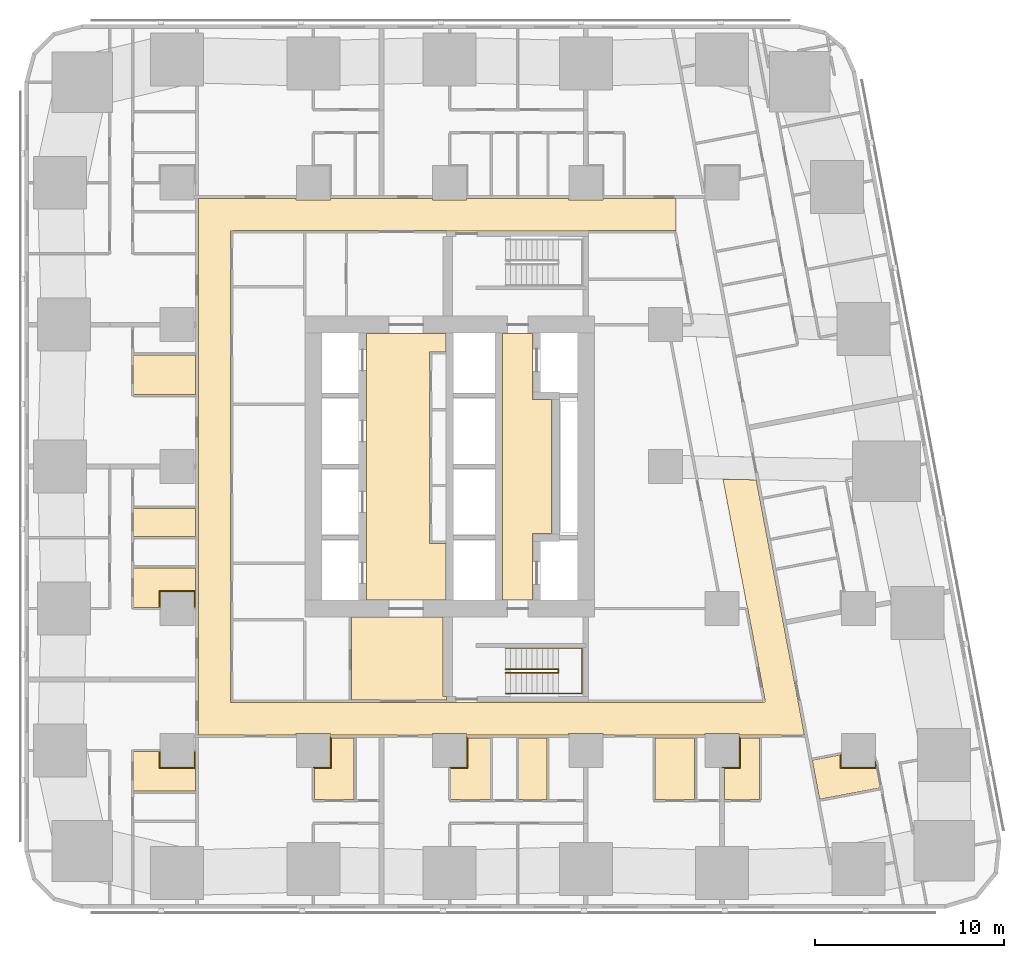
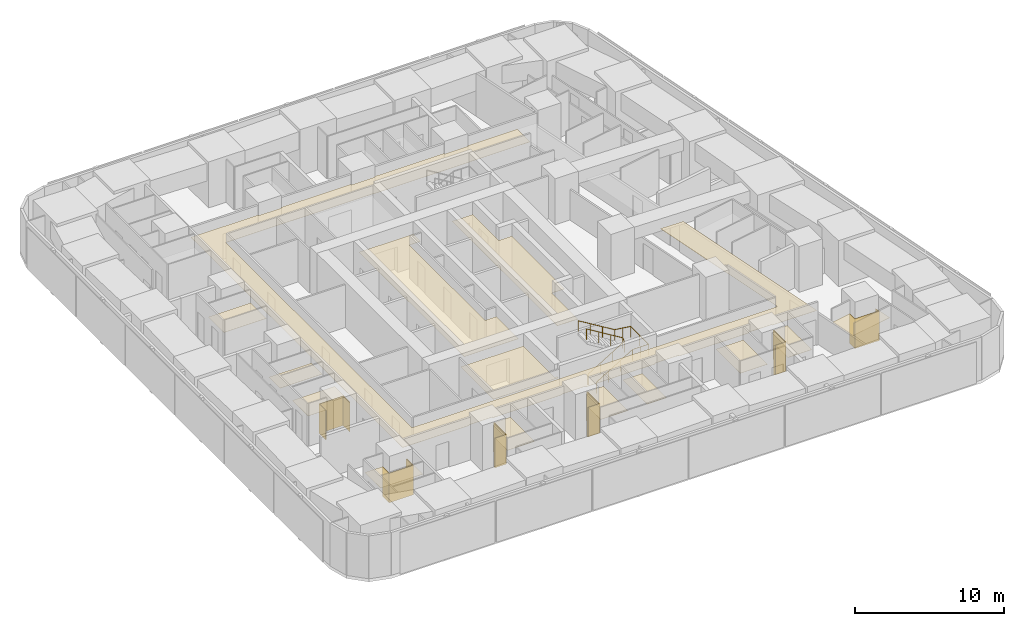
# One storey, part 14 of 16: 20 coverings, 2 railings.
"""IFC4 building model written with IfcOpenShell, lengths in metres."""

from ifc_helpers import new_model, si_unit, direction, frame, origin, origin_2d, place, context, subcontext, project, spatial, polyline, circle, outline, extrude, material, layer, layer_set, type_object, element, save


model = new_model("IFC4")

# Units and contexts
model_context = context("Model", 3, precision=1e-05, world=origin(), true_north=direction((0.0, 1.0)))
body_context = subcontext(model_context, "Body", "Model", "MODEL_VIEW")
ifc_project = project(units=[si_unit("LENGTHUNIT", "METRE"), si_unit("AREAUNIT", "SQUARE_METRE"), si_unit("VOLUMEUNIT", "CUBIC_METRE"), si_unit("PLANEANGLEUNIT", "RADIAN"), si_unit("MASSUNIT", "GRAM", prefix="KILO")], contexts=[model_context])

# Site, building, storey
site_placement = place(None, origin())
site = spatial("IfcSite", under=ifc_project, at=site_placement, CompositionType="ELEMENT")
building_placement = place(site_placement, origin())
building = spatial("IfcBuilding", under=site, at=building_placement, Name="Sheger Commons Tower", CompositionType="ELEMENT")
storey_placement = place(building_placement, frame((0.0, 0.0, 53.75)))
storey = spatial("IfcBuildingStorey", under=building, at=storey_placement, Name="L13", CompositionType="ELEMENT", Elevation=53.75)

# Railings
ifc_material_1 = material(Name="Steel handrail, black powder-coated", Category="steel")
railing_type = type_object("IfcRailingType", Name="HANDRAIL 900", PredefinedType="HANDRAIL", material=ifc_material_1)
railing_1_placement = place(storey_placement, frame((24.550048828125, 11.60009765625, 0.17041015625)))
element("IfcRailing", 1, at=railing_1_placement, inside=storey, type_object=railing_type, Name="Stair S1 handrail L13", PredefinedType="HANDRAIL", context=body_context, shape_type="SweptSolid", body=[
    extrude(circle(Radius=0.02392578125, at=origin_2d()), frame((0.0, 0.0, 0.8759765625), z_axis=(0.854169791009, 0.0, 0.51999420009), x_axis=(0.0, 1.0, 0.0)), (0.0, 0.0, 1.0), 3.278076171875),
    extrude(circle(Radius=0.02392578125, at=origin_2d()), frame((2.800048828125, 0.0, 2.58056640625), z_axis=(0.0, 0.761090297175, 0.648645943136), x_axis=(-1.0, 0.0, 0.0)), (0.0, 0.0, 1.0), 0.2626953125),
    extrude(circle(Radius=0.02392578125, at=origin_2d()), frame((2.800048828125, 0.199951171875, 2.7509765625), z_axis=(-0.854169791009, 0.0, 0.51999420009), x_axis=(0.0, -1.0, 0.0)), (0.0, 0.0, 1.0), 3.278076171875),
    extrude(circle(Radius=0.02099609375, at=origin_2d()), origin(), (0.0, 0.0, 1.0), 0.851806640625),
    extrude(circle(Radius=0.02099609375, at=origin_2d()), frame((0.933349609375, 0.0, 0.568115234375)), (0.0, 0.0, 1.0), 0.851806640625),
    extrude(circle(Radius=0.02099609375, at=origin_2d()), frame((1.86669921875, 0.0, 1.136474609375)), (0.0, 0.0, 1.0), 0.851806640625),
    extrude(circle(Radius=0.02099609375, at=origin_2d()), frame((2.800048828125, 0.0, 1.70458984375)), (0.0, 0.0, 1.0), 0.851806640625),
    extrude(circle(Radius=0.02099609375, at=origin_2d()), frame((2.800048828125, 0.199951171875, 1.875)), (0.0, 0.0, 1.0), 0.851806640625),
    extrude(circle(Radius=0.02099609375, at=origin_2d()), frame((1.86669921875, 0.199951171875, 2.443115234375)), (0.0, 0.0, 1.0), 0.851806640625),
    extrude(circle(Radius=0.02099609375, at=origin_2d()), frame((0.933349609375, 0.199951171875, 3.011474609375)), (0.0, 0.0, 1.0), 0.851806640625),
    extrude(circle(Radius=0.02099609375, at=origin_2d()), frame((0.0, 0.199951171875, 3.57958984375)), (0.0, 0.0, 1.0), 0.851806640625),
])
railing_2_placement = place(storey_placement, frame((24.550048828125, 10.5, 0.17041015625)))
element("IfcRailing", 2, at=railing_2_placement, inside=storey, type_object=railing_type, Name="Stair S1 handrail L13", PredefinedType="HANDRAIL", context=body_context, shape_type="SweptSolid", body=[
    extrude(circle(Radius=0.02392578125, at=origin_2d()), frame((0.0, 0.0, 0.8759765625), z_axis=(0.854169791009, 0.0, 0.51999420009), x_axis=(0.0, 1.0, 0.0)), (0.0, 0.0, 1.0), 3.278076171875),
    extrude(circle(Radius=0.02392578125, at=origin_2d()), frame((2.800048828125, 0.0, 2.58056640625), z_axis=(1.0, 0.0, 0.0), x_axis=(0.0, 1.0, 0.0)), (0.0, 0.0, 1.0), 1.25),
    extrude(circle(Radius=0.02392578125, at=origin_2d()), frame((4.050048828125, 0.0, 2.58056640625), z_axis=(0.0, 1.0, 0.0), x_axis=(-1.0, 0.0, 0.0)), (0.0, 0.0, 1.0), 2.39990234375),
    extrude(circle(Radius=0.02392578125, at=origin_2d()), frame((4.050048828125, 2.39990234375, 2.58056640625), z_axis=(-0.990834877927, 0.0, 0.135078661092), x_axis=(0.0, -1.0, 0.0)), (0.0, 0.0, 1.0), 1.261474609375),
    extrude(circle(Radius=0.02392578125, at=origin_2d()), frame((2.800048828125, 2.39990234375, 2.7509765625), z_axis=(-0.854169791009, 0.0, 0.51999420009), x_axis=(0.0, -1.0, 0.0)), (0.0, 0.0, 1.0), 3.278076171875),
    extrude(circle(Radius=0.02099609375, at=origin_2d()), origin(), (0.0, 0.0, 1.0), 0.851806640625),
    extrude(circle(Radius=0.02099609375, at=origin_2d()), frame((0.933349609375, 0.0, 0.568115234375)), (0.0, 0.0, 1.0), 0.851806640625),
    extrude(circle(Radius=0.02099609375, at=origin_2d()), frame((1.86669921875, 0.0, 1.136474609375)), (0.0, 0.0, 1.0), 0.851806640625),
    extrude(circle(Radius=0.02099609375, at=origin_2d()), frame((2.800048828125, 0.0, 1.70458984375)), (0.0, 0.0, 1.0), 0.851806640625),
    extrude(circle(Radius=0.02099609375, at=origin_2d()), frame((3.425048828125, 0.0, 1.70458984375)), (0.0, 0.0, 1.0), 0.851806640625),
    extrude(circle(Radius=0.02099609375, at=origin_2d()), frame((4.050048828125, 0.0, 1.70458984375)), (0.0, 0.0, 1.0), 0.851806640625),
    extrude(circle(Radius=0.02099609375, at=origin_2d()), frame((4.050048828125, 1.199951171875, 1.70458984375)), (0.0, 0.0, 1.0), 0.851806640625),
    extrude(circle(Radius=0.02099609375, at=origin_2d()), frame((4.050048828125, 2.39990234375, 1.70458984375)), (0.0, 0.0, 1.0), 0.851806640625),
    extrude(circle(Radius=0.02099609375, at=origin_2d()), frame((3.425048828125, 2.39990234375, 1.789794921875)), (0.0, 0.0, 1.0), 0.851806640625),
    extrude(circle(Radius=0.02099609375, at=origin_2d()), frame((2.800048828125, 2.39990234375, 1.875)), (0.0, 0.0, 1.0), 0.851806640625),
    extrude(circle(Radius=0.02099609375, at=origin_2d()), frame((1.86669921875, 2.39990234375, 2.443115234375)), (0.0, 0.0, 1.0), 0.851806640625),
    extrude(circle(Radius=0.02099609375, at=origin_2d()), frame((0.933349609375, 2.39990234375, 3.011474609375)), (0.0, 0.0, 1.0), 0.851806640625),
    extrude(circle(Radius=0.02099609375, at=origin_2d()), frame((0.0, 2.39990234375, 3.57958984375)), (0.0, 0.0, 1.0), 0.851806640625),
])

# Coverings
ifc_material_2 = material(Name="Moisture-resistant gypsum plasterboard 15 mm on a suspended galvanised steel grid", Category="steel")
ifc_layer_1 = layer(ifc_material_2, 0.014892578125)
ifc_layer_set_1 = layer_set([ifc_layer_1], Name="MOISTURE-RESISTANT CEILING 15")
covering_type_1 = type_object("IfcCoveringType", Name="MOISTURE-RESISTANT CEILING 15", PredefinedType="CEILING", material=ifc_layer_set_1)
covering_1_placement = place(storey_placement, frame((0.0, 0.0, 2.39990234375)))
element("IfcCovering", 3, at=covering_1_placement, inside=storey, type_object=covering_type_1, Name="L13-01.B1 ceiling", PredefinedType="CEILING", context=body_context, shape_type="SweptSolid", body=[
    extrude(outline(polyline([(4.905029296875, 5.344970703125), (8.169921875, 5.344970703125), (8.169921875, 7.445068359375), (8.10498046875, 7.445068359375), (8.10498046875, 6.594970703125), (6.294921875, 6.594970703125), (6.294921875, 7.445068359375), (4.905029296875, 7.445068359375), (4.905029296875, 5.344970703125)])), origin(), (0.0, 0.0, 1.0), 0.01513671875),
])
covering_2_placement = place(storey_placement, frame((0.0, 0.0, 2.39990234375)))
element("IfcCovering", 4, at=covering_2_placement, inside=storey, type_object=covering_type_1, Name="L13-02.B1 ceiling", PredefinedType="CEILING", context=body_context, shape_type="SweptSolid", body=[
    extrude(outline(polyline([(4.905029296875, 15.054931640625), (6.294921875, 15.054931640625), (6.294921875, 15.905029296875), (8.10498046875, 15.905029296875), (8.10498046875, 15.054931640625), (8.169921875, 15.054931640625), (8.169921875, 17.155029296875), (4.905029296875, 17.155029296875), (4.905029296875, 15.054931640625)])), origin(), (0.0, 0.0, 1.0), 0.01513671875),
])
covering_3_placement = place(storey_placement, frame((0.0, 0.0, 2.39990234375)))
element("IfcCovering", 5, at=covering_3_placement, inside=storey, type_object=covering_type_1, Name="L13-02.B2 ceiling", PredefinedType="CEILING", context=body_context, shape_type="SweptSolid", body=[
    extrude(outline(polyline([(4.905029296875, 18.804931640625), (8.169921875, 18.804931640625), (8.169921875, 20.294921875), (4.905029296875, 20.294921875), (4.905029296875, 18.804931640625)])), origin(), (0.0, 0.0, 1.0), 0.01513671875),
])
covering_4_placement = place(storey_placement, frame((0.0, 0.0, 2.39990234375)))
element("IfcCovering", 6, at=covering_4_placement, inside=storey, type_object=covering_type_1, Name="L13-03.B1 ceiling", PredefinedType="CEILING", context=body_context, shape_type="SweptSolid", body=[
    extrude(outline(polyline([(4.905029296875, 26.304931640625), (8.169921875, 26.304931640625), (8.169921875, 28.405029296875), (4.905029296875, 28.405029296875), (4.905029296875, 26.304931640625)])), origin(), (0.0, 0.0, 1.0), 0.01513671875),
])
covering_5_placement = place(storey_placement, frame((0.0, 0.0, 2.39990234375)))
element("IfcCovering", 7, at=covering_5_placement, inside=storey, type_object=covering_type_1, Name="L13-05.B1 ceiling", PredefinedType="CEILING", context=body_context, shape_type="SweptSolid", body=[
    extrude(outline(polyline([(14.455078125, 4.905029296875), (16.554931640625, 4.905029296875), (16.554931640625, 8.169921875), (15.304931640625, 8.169921875), (15.304931640625, 6.594970703125), (14.455078125, 6.594970703125), (14.455078125, 4.905029296875)])), origin(), (0.0, 0.0, 1.0), 0.01513671875),
])
covering_6_placement = place(storey_placement, frame((0.0, 0.0, 2.39990234375)))
element("IfcCovering", 8, at=covering_6_placement, inside=storey, type_object=covering_type_1, Name="L13-06.B1 ceiling", PredefinedType="CEILING", context=body_context, shape_type="SweptSolid", body=[
    extrude(outline(polyline([(21.655029296875, 4.905029296875), (23.7548828125, 4.905029296875), (23.7548828125, 8.169921875), (22.5048828125, 8.169921875), (22.5048828125, 6.594970703125), (21.655029296875, 6.594970703125), (21.655029296875, 4.905029296875)])), origin(), (0.0, 0.0, 1.0), 0.01513671875),
])
covering_7_placement = place(storey_placement, frame((0.0, 0.0, 2.39990234375)))
element("IfcCovering", 9, at=covering_7_placement, inside=storey, type_object=covering_type_1, Name="L13-06.B2 ceiling", PredefinedType="CEILING", context=body_context, shape_type="SweptSolid", body=[
    extrude(outline(polyline([(25.2548828125, 4.905029296875), (26.7451171875, 4.905029296875), (26.7451171875, 8.169921875), (25.2548828125, 8.169921875), (25.2548828125, 4.905029296875)])), origin(), (0.0, 0.0, 1.0), 0.01513671875),
])
covering_8_placement = place(storey_placement, frame((0.0, 0.0, 2.39990234375)))
element("IfcCovering", 10, at=covering_8_placement, inside=storey, type_object=covering_type_1, Name="L13-07.B1 ceiling", PredefinedType="CEILING", context=body_context, shape_type="SweptSolid", body=[
    extrude(outline(polyline([(32.455078125, 4.905029296875), (34.554931640625, 4.905029296875), (34.554931640625, 8.169921875), (32.455078125, 8.169921875), (32.455078125, 4.905029296875)])), origin(), (0.0, 0.0, 1.0), 0.01513671875),
])
covering_9_placement = place(storey_placement, frame((0.0, 0.0, 2.39990234375)))
element("IfcCovering", 11, at=covering_9_placement, inside=storey, type_object=covering_type_1, Name="L13-08.B1 ceiling", PredefinedType="CEILING", context=body_context, shape_type="SweptSolid", body=[
    extrude(outline(polyline([(36.1298828125, 4.905029296875), (37.97412109375, 4.905029296875), (37.97412109375, 8.169921875), (36.905029296875, 8.169921875), (36.905029296875, 6.594970703125), (36.1298828125, 6.594970703125), (36.1298828125, 4.905029296875)])), origin(), (0.0, 0.0, 1.0), 0.01513671875),
])
covering_10_placement = place(storey_placement, frame((0.0, 0.0, 2.39990234375)))
element("IfcCovering", 12, at=covering_10_placement, inside=storey, type_object=covering_type_1, Name="L13-11.B1 ceiling", PredefinedType="CEILING", context=body_context, shape_type="SweptSolid", body=[
    extrude(outline(polyline([(41.156005859375, 4.9208984375), (44.364013671875, 5.527099609375), (44.10693359375, 6.885009765625), (44.10498046875, 6.885009765625), (44.10498046875, 6.594970703125), (42.294921875, 6.594970703125), (42.294921875, 7.27392578125), (40.76611328125, 6.985107421875), (41.156005859375, 4.9208984375)])), origin(), (0.0, 0.0, 1.0), 0.01513671875),
])
ifc_material_3 = material(Name="Gypsum plasterboard 15 mm on a suspended steel grid", Category="steel")
ifc_layer_2 = layer(ifc_material_3, 0.014892578125)
ifc_layer_set_2 = layer_set([ifc_layer_2], Name="SUSPENDED CEILING 15")
covering_type_2 = type_object("IfcCoveringType", Name="SUSPENDED CEILING 15", PredefinedType="CEILING", material=ifc_layer_set_2)
covering_11_placement = place(storey_placement, frame((0.0, 0.0, 2.699951171875)))
element("IfcCovering", 13, at=covering_11_placement, inside=storey, type_object=covering_type_2, Name="L13-CO ceiling", PredefinedType="CEILING", context=body_context, shape_type="SweptSolid", body=[
    extrude(outline(polyline([(8.330078125, 8.330078125), (13.4951171875, 8.330078125), (13.4951171875, 8.405029296875), (15.304931640625, 8.405029296875), (15.304931640625, 8.330078125), (20.695068359375, 8.330078125), (20.695068359375, 8.405029296875), (22.5048828125, 8.405029296875), (22.5048828125, 8.330078125), (27.89501953125, 8.330078125), (27.89501953125, 8.405029296875), (29.705078125, 8.405029296875), (29.705078125, 8.330078125), (35.094970703125, 8.330078125), (35.094970703125, 8.405029296875), (36.905029296875, 8.405029296875), (36.905029296875, 8.330078125), (40.34912109375, 8.330078125), (37.804931640625, 21.798095703125), (36.048095703125, 21.8330078125), (37.3359375, 15.013916015625), (37.35302734375, 15.01708984375), (38.26904296875, 10.1708984375), (38.251953125, 10.1669921875), (38.27392578125, 10.050048828125), (38.14306640625, 10.050048828125), (38.14306640625, 10.031982421875), (28.945068359375, 10.031982421875), (28.945068359375, 10.044921875), (21.455078125, 10.044921875), (21.455078125, 10.031982421875), (10.157958984375, 10.031982421875), (10.157958984375, 10.044921875), (10.031982421875, 10.044921875), (10.031982421875, 34.955078125), (10.157958984375, 34.955078125), (10.157958984375, 34.968017578125), (21.455078125, 34.968017578125), (21.455078125, 34.949951171875), (28.945068359375, 34.949951171875), (28.945068359375, 34.968017578125), (33.54296875, 34.968017578125), (33.54296875, 34.949951171875), (33.568115234375, 34.949951171875), (33.568115234375, 36.669921875), (29.705078125, 36.669921875), (29.705078125, 36.594970703125), (27.89501953125, 36.594970703125), (27.89501953125, 36.669921875), (22.5048828125, 36.669921875), (22.5048828125, 36.594970703125), (20.695068359375, 36.594970703125), (20.695068359375, 36.669921875), (15.304931640625, 36.669921875), (15.304931640625, 36.594970703125), (13.4951171875, 36.594970703125), (13.4951171875, 36.669921875), (8.330078125, 36.669921875), (8.330078125, 8.330078125)])), origin(), (0.0, 0.0, 1.0), 0.01513671875),
])
covering_12_placement = place(storey_placement, frame((0.0, 0.0, 2.699951171875)))
element("IfcCovering", 14, at=covering_12_placement, inside=storey, type_object=covering_type_2, Name="L13-SVS1 ceiling", PredefinedType="CEILING", context=body_context, shape_type="SweptSolid", body=[
    extrude(outline(polyline([(16.406982421875, 10.16796875), (21.445068359375, 10.16796875), (21.445068359375, 10.344970703125), (21.2451171875, 10.344970703125), (21.2451171875, 14.544921875), (16.406982421875, 14.544921875), (16.406982421875, 10.16796875)])), origin(), (0.0, 0.0, 1.0), 0.01513671875),
])
covering_13_placement = place(storey_placement, frame((0.0, 0.0, 2.699951171875)))
element("IfcCovering", 15, at=covering_13_placement, inside=storey, type_object=covering_type_2, Name="L13-LL ceiling", PredefinedType="CEILING", context=body_context, shape_type="SweptSolid", body=[
    extrude(outline(polyline([(17.205078125, 15.455078125), (21.39990234375, 15.455078125), (21.39990234375, 18.43310546875), (20.657958984375, 18.43310546875), (20.532958984375, 18.43310546875), (20.532958984375, 28.56689453125), (20.657958984375, 28.56689453125), (21.39990234375, 28.56689453125), (21.39990234375, 29.544921875), (17.205078125, 29.544921875), (17.205078125, 15.455078125)])), origin(), (0.0, 0.0, 1.0), 0.01513671875),
])
covering_14_placement = place(storey_placement, frame((0.0, 0.0, 2.699951171875)))
element("IfcCovering", 16, at=covering_14_placement, inside=storey, type_object=covering_type_2, Name="L13-FL ceiling", PredefinedType="CEILING", context=body_context, shape_type="SweptSolid", body=[
    extrude(outline(polyline([(24.405029296875, 15.455078125), (25.9951171875, 15.455078125), (25.9951171875, 18.955078125), (26.9951171875, 18.955078125), (26.9951171875, 26.044921875), (25.9951171875, 26.044921875), (25.9951171875, 29.544921875), (24.405029296875, 29.544921875), (24.405029296875, 15.455078125)])), origin(), (0.0, 0.0, 1.0), 0.01513671875),
])
ifc_material_4 = material(Name="Moisture-resistant gypsum board 12.5 mm on 25 mm treated timber battens, tanked and tiled", Category="wood")
ifc_layer_3 = layer(ifc_material_4, 0.050048828125)
ifc_layer_set_3 = layer_set([ifc_layer_3], Name="WET-ROOM COLUMN LINING")
covering_type_3 = type_object("IfcCoveringType", Name="WET-ROOM COLUMN LINING", PredefinedType="CLADDING", material=ifc_layer_set_3)
covering_15_placement = place(storey_placement, origin())
element("IfcCovering", 17, at=covering_15_placement, inside=storey, type_object=covering_type_3, Name="Bathroom column lining C8 L13", PredefinedType="CLADDING", context=body_context, shape_type="SweptSolid", body=[
    extrude(outline(polyline([(6.300048828125, 7.5), (6.300048828125, 6.60009765625), (8.10009765625, 6.60009765625), (8.10009765625, 7.5), (8.10107421875, 7.5), (8.10107421875, 7.449951171875), (8.14990234375, 7.449951171875), (8.14990234375, 6.550048828125), (6.25, 6.550048828125), (6.25, 7.449951171875), (6.299072265625, 7.449951171875), (6.299072265625, 7.5), (6.300048828125, 7.5)])), origin(), (0.0, 0.0, 1.0), 2.39990234375),
])
covering_16_placement = place(storey_placement, origin())
element("IfcCovering", 18, at=covering_16_placement, inside=storey, type_object=covering_type_3, Name="Bathroom column lining C8 L13", PredefinedType="CLADDING", context=body_context, shape_type="SweptSolid", body=[
    extrude(outline(polyline([(14.449951171875, 6.550048828125), (14.449951171875, 6.59912109375), (14.39990234375, 6.59912109375), (14.39990234375, 6.60009765625), (15.300048828125, 6.60009765625), (15.300048828125, 8.25), (15.301025390625, 8.25), (15.301025390625, 8.175048828125), (15.35009765625, 8.175048828125), (15.35009765625, 6.550048828125), (14.449951171875, 6.550048828125)])), origin(), (0.0, 0.0, 1.0), 2.39990234375),
])
covering_17_placement = place(storey_placement, origin())
element("IfcCovering", 19, at=covering_17_placement, inside=storey, type_object=covering_type_3, Name="Bathroom column lining C8 L13", PredefinedType="CLADDING", context=body_context, shape_type="SweptSolid", body=[
    extrude(outline(polyline([(21.64990234375, 6.550048828125), (21.64990234375, 6.59912109375), (21.60009765625, 6.59912109375), (21.60009765625, 6.60009765625), (22.5, 6.60009765625), (22.5, 8.25), (22.5009765625, 8.25), (22.5009765625, 8.175048828125), (22.550048828125, 8.175048828125), (22.550048828125, 6.550048828125), (21.64990234375, 6.550048828125)])), origin(), (0.0, 0.0, 1.0), 2.39990234375),
])
covering_18_placement = place(storey_placement, origin())
element("IfcCovering", 20, at=covering_18_placement, inside=storey, type_object=covering_type_3, Name="Shower room column lining C8 L13", PredefinedType="CLADDING", context=body_context, shape_type="SweptSolid", body=[
    extrude(outline(polyline([(36.125, 6.550048828125), (36.125, 6.59912109375), (36.0, 6.59912109375), (36.0, 6.60009765625), (36.89990234375, 6.60009765625), (36.89990234375, 8.25), (36.90087890625, 8.25), (36.90087890625, 8.175048828125), (36.949951171875, 8.175048828125), (36.949951171875, 6.550048828125), (36.125, 6.550048828125)])), origin(), (0.0, 0.0, 1.0), 2.39990234375),
])
covering_19_placement = place(storey_placement, origin())
element("IfcCovering", 21, at=covering_19_placement, inside=storey, type_object=covering_type_3, Name="Bathroom column lining C8 L13", PredefinedType="CLADDING", context=body_context, shape_type="SweptSolid", body=[
    extrude(outline(polyline([(42.300048828125, 7.3310546875), (42.300048828125, 6.60009765625), (44.10009765625, 6.60009765625), (44.10009765625, 6.949951171875), (44.14990234375, 6.68603515625), (44.14990234375, 6.550048828125), (42.25, 6.550048828125), (42.25, 7.27099609375), (42.299072265625, 7.280029296875), (42.2900390625, 7.3291015625), (42.300048828125, 7.3310546875)])), origin(), (0.0, 0.0, 1.0), 2.39990234375),
])
covering_20_placement = place(storey_placement, origin())
element("IfcCovering", 22, at=covering_20_placement, inside=storey, type_object=covering_type_3, Name="Bathroom column lining C8 L13", PredefinedType="CLADDING", context=body_context, shape_type="SweptSolid", body=[
    extrude(outline(polyline([(8.14990234375, 15.949951171875), (8.14990234375, 15.050048828125), (8.10107421875, 15.050048828125), (8.10107421875, 15.0), (8.10009765625, 15.0), (8.10009765625, 15.89990234375), (6.300048828125, 15.89990234375), (6.300048828125, 15.0), (6.299072265625, 15.0), (6.299072265625, 15.050048828125), (6.25, 15.050048828125), (6.25, 15.949951171875), (8.14990234375, 15.949951171875)])), origin(), (0.0, 0.0, 1.0), 2.39990234375),
])

save(model, "model.ifc")
